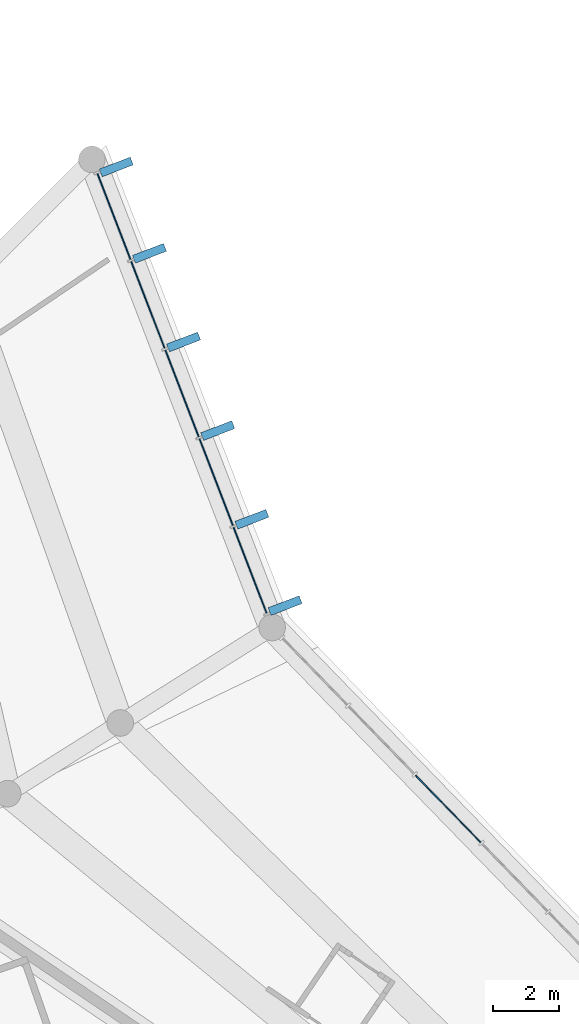
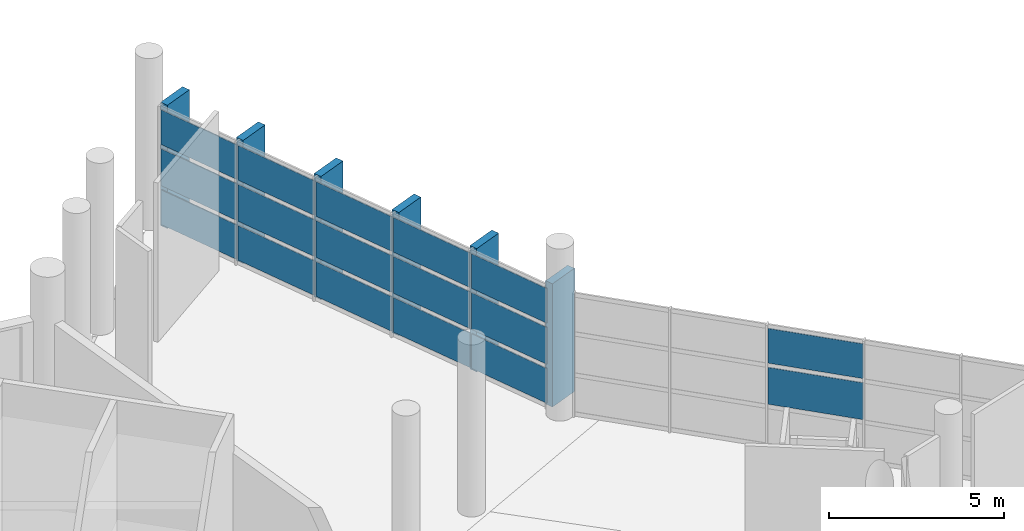
# One storey, part 135 of 249: 23 plates, 2 elements without a shape of their own.
"""IFC4 building model written with IfcOpenShell, lengths in metres."""

from ifc_helpers import new_model, si_unit, direction, frame, origin, origin_2d, place, context, subcontext, project, spatial, rectangle, extrude, material, layer, layer_set, type_object, element, aggregate, save


model = new_model("IFC4")

# Units and contexts
model_context = context("Model", 3, precision=1e-05, world=origin(), true_north=direction((0.0, 1.0)))
body_context = subcontext(model_context, "Body", "Model", "MODEL_VIEW")
ifc_project = project(units=[si_unit("LENGTHUNIT", "METRE"), si_unit("AREAUNIT", "SQUARE_METRE"), si_unit("VOLUMEUNIT", "CUBIC_METRE"), si_unit("PLANEANGLEUNIT", "RADIAN"), si_unit("MASSUNIT", "GRAM", prefix="KILO")], contexts=[model_context])

# Site, building, storey
site_placement = place(None, origin())
site = spatial("IfcSite", under=ifc_project, at=site_placement, CompositionType="ELEMENT")
building_placement = place(site_placement, origin())
building = spatial("IfcBuilding", under=site, at=building_placement, Name="Meseta Stadium", CompositionType="ELEMENT")
storey_placement = place(building_placement, frame((0.0, 0.0, 12.0)))
storey = spatial("IfcBuildingStorey", under=building, at=storey_placement, Name="L02", CompositionType="ELEMENT", Elevation=12.0)

# Curtain wall, plates
ifc_material_1 = material(Name="Aluminium", Category="aluminium")
ifc_layer_1 = layer(ifc_material_1, 0.199951171875)
ifc_layer_set_1 = layer_set([ifc_layer_1], Name="Ring shopfront curtain wall")
curtain_wall_type = type_object("IfcCurtainWallType", Name="Ring shopfront curtain wall", PredefinedType="NOTDEFINED", material=ifc_layer_set_1)
curtain_wall_1_placement = place(storey_placement, origin())
curtain_wall_1 = element("IfcCurtainWall", 1, at=curtain_wall_1_placement, inside=storey, type_object=curtain_wall_type, Name="Ring glazing L02 F10", PredefinedType="NOTDEFINED")
ifc_material_2 = material(Name="Glass", Category="glass")
ifc_layer_2 = layer(ifc_material_2, 0.035888671875)
ifc_layer_set_2 = layer_set([ifc_layer_2], Name="Ring CW glass panel 36")
plate_type_1 = type_object("IfcPlateType", Name="Ring CW glass panel 36", PredefinedType="CURTAIN_PANEL", material=ifc_layer_set_2)
plate_1_placement = place(storey_placement, frame((103.7919921875, 77.530517578125, 1.50830078125), z_axis=(0.0, 0.0, 1.0), x_axis=(-0.6964727488, 0.717583242683, 0.0)))
plate_1 = element("IfcPlate", 2, at=plate_1_placement, type_object=plate_type_1, Name="CWR1 panel 3.2", PredefinedType="CURTAIN_PANEL", context=body_context, shape_type="SweptSolid", body=[
    extrude(rectangle(XDim=2.821044921875, YDim=0.035888671875, at=origin_2d()), origin(), (0.0, 0.0, 1.0), 1.283447265625),
])
plate_2_placement = place(storey_placement, frame((103.7919921875, 77.530517578125, 2.94189453125), z_axis=(0.0, 0.0, 1.0), x_axis=(-0.6964727488, 0.717583242683, 0.0)))
plate_2 = element("IfcPlate", 3, at=plate_2_placement, type_object=plate_type_1, Name="CWR1 panel 3.3", PredefinedType="CURTAIN_PANEL", context=body_context, shape_type="SweptSolid", body=[
    extrude(rectangle(XDim=2.821044921875, YDim=0.035888671875, at=origin_2d()), origin(), (0.0, 0.0, 1.0), 1.208251953125),
])
aggregate(curtain_wall_1, [plate_1, plate_2])

curtain_wall_2_placement = place(storey_placement, origin())
curtain_wall_2 = element("IfcCurtainWall", 4, at=curtain_wall_2_placement, inside=storey, type_object=curtain_wall_type, Name="Ring glazing L02 F11", PredefinedType="NOTDEFINED")
plate_3_placement = place(storey_placement, frame((97.834228515625, 84.707275390625, 0.14990234375), z_axis=(0.0, 0.0, 1.0), x_axis=(-0.359302033734, 0.933221328815, 0.0)))
plate_3 = element("IfcPlate", 5, at=plate_3_placement, type_object=plate_type_1, Name="CWR1 panel 1.1", PredefinedType="CURTAIN_PANEL", context=body_context, shape_type="SweptSolid", body=[
    extrude(rectangle(XDim=2.76904296875, YDim=0.035888671875, at=origin_2d()), origin(), (0.0, 0.0, 1.0), 1.208251953125),
])
plate_4_placement = place(storey_placement, frame((97.834228515625, 84.707275390625, 1.50830078125), z_axis=(0.0, 0.0, 1.0), x_axis=(-0.359302033734, 0.933221328815, 0.0)))
plate_4 = element("IfcPlate", 6, at=plate_4_placement, type_object=plate_type_1, Name="CWR1 panel 1.2", PredefinedType="CURTAIN_PANEL", context=body_context, shape_type="SweptSolid", body=[
    extrude(rectangle(XDim=2.76904296875, YDim=0.035888671875, at=origin_2d()), origin(), (0.0, 0.0, 1.0), 1.283447265625),
])
plate_5_placement = place(storey_placement, frame((97.834228515625, 84.707275390625, 2.94189453125), z_axis=(0.0, 0.0, 1.0), x_axis=(-0.359302033734, 0.933221328815, 0.0)))
plate_5 = element("IfcPlate", 7, at=plate_5_placement, type_object=plate_type_1, Name="CWR1 panel 1.3", PredefinedType="CURTAIN_PANEL", context=body_context, shape_type="SweptSolid", body=[
    extrude(rectangle(XDim=2.76904296875, YDim=0.035888671875, at=origin_2d()), origin(), (0.0, 0.0, 1.0), 1.208251953125),
])
plate_6_placement = place(storey_placement, frame((96.812255859375, 87.361572265625, 0.14990234375), z_axis=(0.0, 0.0, 1.0), x_axis=(-0.359302033734, 0.933221328815, 0.0)))
plate_6 = element("IfcPlate", 8, at=plate_6_placement, type_object=plate_type_1, Name="CWR1 panel 2.1", PredefinedType="CURTAIN_PANEL", context=body_context, shape_type="SweptSolid", body=[
    extrude(rectangle(XDim=2.799072265625, YDim=0.035888671875, at=origin_2d()), origin(), (0.0, 0.0, 1.0), 1.208251953125),
])
plate_7_placement = place(storey_placement, frame((96.812255859375, 87.361572265625, 1.50830078125), z_axis=(0.0, 0.0, 1.0), x_axis=(-0.359302033734, 0.933221328815, 0.0)))
plate_7 = element("IfcPlate", 9, at=plate_7_placement, type_object=plate_type_1, Name="CWR1 panel 2.2", PredefinedType="CURTAIN_PANEL", context=body_context, shape_type="SweptSolid", body=[
    extrude(rectangle(XDim=2.799072265625, YDim=0.035888671875, at=origin_2d()), origin(), (0.0, 0.0, 1.0), 1.283447265625),
])
plate_8_placement = place(storey_placement, frame((96.812255859375, 87.361572265625, 2.94189453125), z_axis=(0.0, 0.0, 1.0), x_axis=(-0.359302033734, 0.933221328815, 0.0)))
plate_8 = element("IfcPlate", 10, at=plate_8_placement, type_object=plate_type_1, Name="CWR1 panel 2.3", PredefinedType="CURTAIN_PANEL", context=body_context, shape_type="SweptSolid", body=[
    extrude(rectangle(XDim=2.799072265625, YDim=0.035888671875, at=origin_2d()), origin(), (0.0, 0.0, 1.0), 1.208251953125),
])
plate_9_placement = place(storey_placement, frame((95.78515625, 90.029541015625, 0.14990234375), z_axis=(0.0, 0.0, 1.0), x_axis=(-0.359302033734, 0.933221328815, 0.0)))
plate_9 = element("IfcPlate", 11, at=plate_9_placement, type_object=plate_type_1, Name="CWR1 panel 3.1", PredefinedType="CURTAIN_PANEL", context=body_context, shape_type="SweptSolid", body=[
    extrude(rectangle(XDim=2.799072265625, YDim=0.035888671875, at=origin_2d()), origin(), (0.0, 0.0, 1.0), 1.208251953125),
])
plate_10_placement = place(storey_placement, frame((95.78515625, 90.029541015625, 1.50830078125), z_axis=(0.0, 0.0, 1.0), x_axis=(-0.359302033734, 0.933221328815, 0.0)))
plate_10 = element("IfcPlate", 12, at=plate_10_placement, type_object=plate_type_1, Name="CWR1 panel 3.2", PredefinedType="CURTAIN_PANEL", context=body_context, shape_type="SweptSolid", body=[
    extrude(rectangle(XDim=2.799072265625, YDim=0.035888671875, at=origin_2d()), origin(), (0.0, 0.0, 1.0), 1.283447265625),
])
plate_11_placement = place(storey_placement, frame((95.78515625, 90.029541015625, 2.94189453125), z_axis=(0.0, 0.0, 1.0), x_axis=(-0.359302033734, 0.933221328815, 0.0)))
plate_11 = element("IfcPlate", 13, at=plate_11_placement, type_object=plate_type_1, Name="CWR1 panel 3.3", PredefinedType="CURTAIN_PANEL", context=body_context, shape_type="SweptSolid", body=[
    extrude(rectangle(XDim=2.799072265625, YDim=0.035888671875, at=origin_2d()), origin(), (0.0, 0.0, 1.0), 1.208251953125),
])
plate_12_placement = place(storey_placement, frame((94.7578125, 92.69775390625, 0.14990234375), z_axis=(0.0, 0.0, 1.0), x_axis=(-0.359302033734, 0.933221328815, 0.0)))
plate_12 = element("IfcPlate", 14, at=plate_12_placement, type_object=plate_type_1, Name="CWR1 panel 4.1", PredefinedType="CURTAIN_PANEL", context=body_context, shape_type="SweptSolid", body=[
    extrude(rectangle(XDim=2.799072265625, YDim=0.035888671875, at=origin_2d()), origin(), (0.0, 0.0, 1.0), 1.208251953125),
])
plate_13_placement = place(storey_placement, frame((94.7578125, 92.69775390625, 1.50830078125), z_axis=(0.0, 0.0, 1.0), x_axis=(-0.359302033734, 0.933221328815, 0.0)))
plate_13 = element("IfcPlate", 15, at=plate_13_placement, type_object=plate_type_1, Name="CWR1 panel 4.2", PredefinedType="CURTAIN_PANEL", context=body_context, shape_type="SweptSolid", body=[
    extrude(rectangle(XDim=2.799072265625, YDim=0.035888671875, at=origin_2d()), origin(), (0.0, 0.0, 1.0), 1.283447265625),
])
plate_14_placement = place(storey_placement, frame((94.7578125, 92.69775390625, 2.94189453125), z_axis=(0.0, 0.0, 1.0), x_axis=(-0.359302033734, 0.933221328815, 0.0)))
plate_14 = element("IfcPlate", 16, at=plate_14_placement, type_object=plate_type_1, Name="CWR1 panel 4.3", PredefinedType="CURTAIN_PANEL", context=body_context, shape_type="SweptSolid", body=[
    extrude(rectangle(XDim=2.799072265625, YDim=0.035888671875, at=origin_2d()), origin(), (0.0, 0.0, 1.0), 1.208251953125),
])
plate_15_placement = place(storey_placement, frame((93.73583984375, 95.351806640625, 0.14990234375), z_axis=(0.0, 0.0, 1.0), x_axis=(-0.359302033734, 0.933221328815, 0.0)))
plate_15 = element("IfcPlate", 17, at=plate_15_placement, type_object=plate_type_1, Name="CWR1 panel 5.1", PredefinedType="CURTAIN_PANEL", context=body_context, shape_type="SweptSolid", body=[
    extrude(rectangle(XDim=2.76904296875, YDim=0.035888671875, at=origin_2d()), origin(), (0.0, 0.0, 1.0), 1.208251953125),
])
plate_16_placement = place(storey_placement, frame((93.73583984375, 95.351806640625, 1.50830078125), z_axis=(0.0, 0.0, 1.0), x_axis=(-0.359302033734, 0.933221328815, 0.0)))
plate_16 = element("IfcPlate", 18, at=plate_16_placement, type_object=plate_type_1, Name="CWR1 panel 5.2", PredefinedType="CURTAIN_PANEL", context=body_context, shape_type="SweptSolid", body=[
    extrude(rectangle(XDim=2.76904296875, YDim=0.035888671875, at=origin_2d()), origin(), (0.0, 0.0, 1.0), 1.283447265625),
])
plate_17_placement = place(storey_placement, frame((93.73583984375, 95.351806640625, 2.94189453125), z_axis=(0.0, 0.0, 1.0), x_axis=(-0.359302033734, 0.933221328815, 0.0)))
plate_17 = element("IfcPlate", 19, at=plate_17_placement, type_object=plate_type_1, Name="CWR1 panel 5.3", PredefinedType="CURTAIN_PANEL", context=body_context, shape_type="SweptSolid", body=[
    extrude(rectangle(XDim=2.76904296875, YDim=0.035888671875, at=origin_2d()), origin(), (0.0, 0.0, 1.0), 1.208251953125),
])
aggregate(curtain_wall_2, [plate_3, plate_4, plate_5, plate_6, plate_7, plate_8, plate_9, plate_10, plate_11, plate_12, plate_13, plate_14, plate_15, plate_16, plate_17])

# Plates
ifc_material_3 = material(Name="Precast concrete C40/50", Category="concrete")
ifc_layer_3 = layer(ifc_material_3, 0.25)
ifc_layer_set_3 = layer_set([ifc_layer_3], Name="Ring brise-soleil fin 250x1000")
plate_type_2 = type_object("IfcPlateType", Name="Ring brise-soleil fin 250x1000", PredefinedType="USERDEFINED", material=ifc_layer_set_3)
for number, where, z_axis, x_axis, name in (
    (20, (98.88623046875, 83.644775390625, 0.0), (0.0, 0.0, 1.0), (-0.359298161815, 0.933222819543, 0.0), "Brise-soleil fin L02 F11.1"),
    (21, (97.885986328125, 86.242919921875, 0.0), (0.0, 0.0, 1.0), (-0.359298161815, 0.933222819543, 0.0), "Brise-soleil fin L02 F11.2"),
    (22, (96.858642578125, 88.9111328125, 0.0), (0.0, 0.0, 1.0), (-0.359298161815, 0.933222819543, 0.0), "Brise-soleil fin L02 F11.3"),
    (23, (95.831298828125, 91.5791015625, 0.0), (0.0, 0.0, 1.0), (-0.359298161815, 0.933222819543, 0.0), "Brise-soleil fin L02 F11.4"),
    (24, (94.80419921875, 94.247314453125, 0.0), (0.0, 0.0, 1.0), (-0.359298161815, 0.933222819543, 0.0), "Brise-soleil fin L02 F11.5"),
    (25, (93.8037109375, 96.845458984375, 0.0), (0.0, 0.0, 1.0), (-0.359298161815, 0.933222819543, 0.0), "Brise-soleil fin L02 F11.6"),
):
    element("IfcPlate", number, at=place(storey_placement, frame(where, z_axis=z_axis, x_axis=x_axis)), inside=storey, type_object=plate_type_2, Name=name, ObjectType="FIN", PredefinedType="USERDEFINED", context=body_context, shape_type="SweptSolid", body=[
        extrude(rectangle(XDim=0.25, YDim=1.0, at=origin_2d()), origin(), (0.0, 0.0, 1.0), 4.300048828125),
    ])

save(model, "model.ifc")
